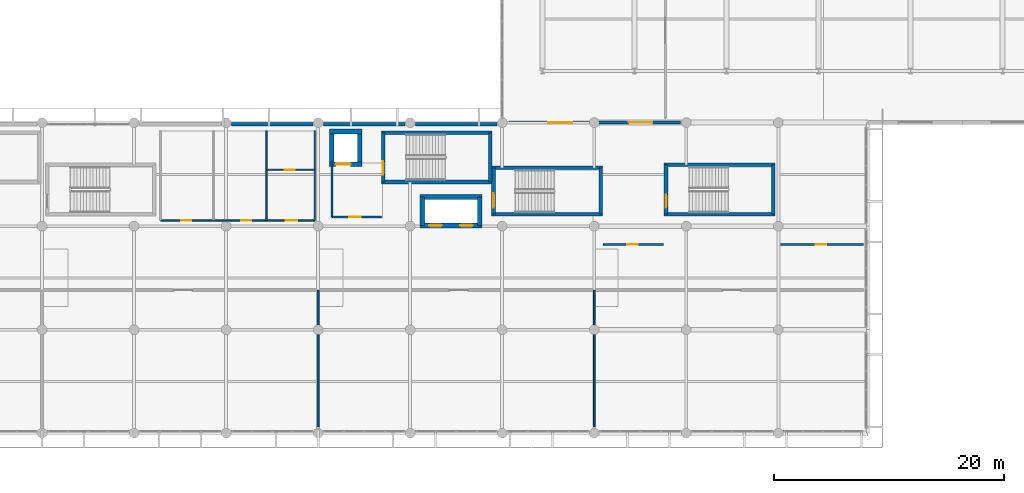
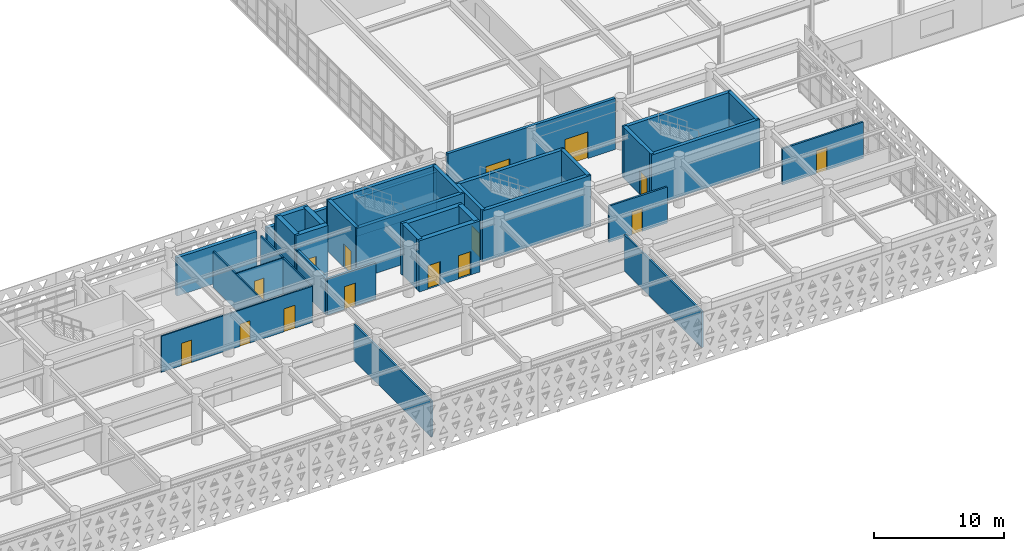
# One storey, part 38 of 54: 34 walls, 15 doors, 15 openings.
"""IFC4 building model written with IfcOpenShell, lengths in metres."""

from ifc_helpers import new_model, si_unit, direction, frame, frame_2d, origin, place, context, subcontext, project, spatial, rectangle, extrude, material, layer, layer_set, type_object, element, fill, save


model = new_model("IFC4")

# Units and contexts
model_context = context("Model", 3, precision=1e-05, world=origin(), true_north=direction((0.0, 1.0)))
body_context = subcontext(model_context, "Body", "Model", "MODEL_VIEW")
ifc_project = project(units=[si_unit("LENGTHUNIT", "METRE"), si_unit("AREAUNIT", "SQUARE_METRE"), si_unit("VOLUMEUNIT", "CUBIC_METRE"), si_unit("PLANEANGLEUNIT", "RADIAN"), si_unit("MASSUNIT", "GRAM", prefix="KILO")], contexts=[model_context])

# Site, building, storey
site_placement = place(None, origin())
site = spatial("IfcSite", under=ifc_project, at=site_placement, CompositionType="ELEMENT")
building_placement = place(site_placement, origin())
building = spatial("IfcBuilding", under=site, at=building_placement, Name="Tlacozan Convention Centre", CompositionType="ELEMENT")
storey_placement = place(building_placement, frame((0.0, 0.0, 11.39990234375)))
storey = spatial("IfcBuildingStorey", under=building, at=storey_placement, Name="L02", CompositionType="ELEMENT", Elevation=11.39990234375)

# Wall, openings, doors
ifc_material_1 = material(Name="Concrete C40/50", Category="concrete")
ifc_layer_1 = layer(ifc_material_1, 0.260009765625)
ifc_layer_set_1 = layer_set([ifc_layer_1], Name="Concrete C40/50")
wall_type_1 = type_object("IfcWallType", Name="Compartment Rated Wall RC 260", PredefinedType="SOLIDWALL", material=ifc_layer_set_1)
wall_1_placement = place(storey_placement, frame((88.60009765625, 27.0, 0.0), z_axis=(0.0, 0.0, 1.0), x_axis=(1.0, 0.0, 0.0)))
wall_1 = element("IfcWall", 1, at=wall_1_placement, inside=storey, type_object=wall_type_1, Name="L02 Compartment Rated Wall RC 260 622", PredefinedType="SOLIDWALL", context=body_context, shape_type="SweptSolid", body=[
    extrude(rectangle(XDim=14.89990234375, YDim=0.260009765625, at=frame_2d((7.449951171875, 0.0))), origin(), (0.0, 0.0, 1.0), 4.800048828125),
])
opening_1_placement = place(wall_1_placement, frame((3.39990234375, 0.0, 0.0)))
opening_1 = element("IfcOpeningElement", 2, at=opening_1_placement, cuts=wall_1, Name="Opening FD-04", PredefinedType="OPENING", context=body_context, shape_type="SweptSolid", body=[
    extrude(rectangle(XDim=2.10009765625, YDim=2.39990234375, at=frame_2d((1.050048828125, 1.199951171875))), frame((0.0, 0.139892578125, 0.0), z_axis=(0.0, -1.0, 0.0), x_axis=(1.0, 0.0, 0.0)), (0.0, 0.0, 1.0), 0.280029296875),
])
opening_2_placement = place(wall_1_placement, frame((10.39990234375, 0.0, 0.0)))
opening_2 = element("IfcOpeningElement", 3, at=opening_2_placement, cuts=wall_1, Name="Opening ID-18", PredefinedType="OPENING", context=body_context, shape_type="SweptSolid", body=[
    extrude(rectangle(XDim=2.050048828125, YDim=2.5, at=frame_2d((1.02490234375, 1.25))), frame((0.0, 0.139892578125, 0.0), z_axis=(0.0, -1.0, 0.0), x_axis=(1.0, 0.0, 0.0)), (0.0, 0.0, 1.0), 0.280029296875),
])
ifc_material_2 = material(Name="Acoustic Solid-Core Oak Veneer Door")
door_type_1 = type_object("IfcDoorType", Name="Dining Pavilion Double Door 2050x2500", OperationType="DOUBLE_DOOR_SINGLE_SWING", PredefinedType="DOOR", material=ifc_material_2)
door_1_placement = place(opening_2_placement, origin())
door_1 = element("IfcDoor", 4, at=door_1_placement, inside=storey, type_object=door_type_1, Name="L02 Dining Pavilion Double Door 2050x2500 221", OperationType="DOUBLE_DOOR_SINGLE_SWING", OverallHeight=2.5, OverallWidth=2.050048828125, PredefinedType="DOOR", context=body_context, shape_type="SweptSolid", body=[
    extrude(rectangle(XDim=2.050048828125, YDim=2.5, at=frame_2d((1.02490234375, 1.25))), frame((0.0, 0.02490234375, 0.0), z_axis=(0.0, -1.0, 0.0), x_axis=(1.0, 0.0, 0.0)), (0.0, 0.0, 1.0), 0.050048828125),
])
fill(opening_2, door_1)
ifc_material_3 = material(Name="Fire-Rated Insulated Steel Door Leaf", Category="steel")
door_type_2 = type_object("IfcDoorType", Name="Fire Door Compartment Double 2100x2400 FD90", OperationType="DOUBLE_DOOR_SINGLE_SWING", PredefinedType="DOOR", material=ifc_material_3)
door_2_placement = place(opening_1_placement, origin())
door_2 = element("IfcDoor", 5, at=door_2_placement, inside=storey, type_object=door_type_2, Name="L02 Fire Door Compartment Double 2100x2400 FD90 220", OperationType="DOUBLE_DOOR_SINGLE_SWING", OverallHeight=2.39990234375, OverallWidth=2.10009765625, PredefinedType="DOOR", context=body_context, shape_type="SweptSolid", body=[
    extrude(rectangle(XDim=2.10009765625, YDim=2.39990234375, at=frame_2d((1.050048828125, 1.199951171875))), frame((0.0, 0.02490234375, 0.0), z_axis=(0.0, -1.0, 0.0), x_axis=(1.0, 0.0, 0.0)), (0.0, 0.0, 1.0), 0.050048828125),
])
fill(opening_1, door_2)

# Walls
ifc_material_4 = material(Name="Volcanic Cantera Stone Masonry", Category="masonry")
ifc_layer_2 = layer(ifc_material_4, 0.300048828125)
ifc_layer_set_2 = layer_set([ifc_layer_2], Name="Volcanic Cantera Stone Masonry")
wall_type_2 = type_object("IfcWallType", Name="Congress Spandrel Backup Wall 300", PredefinedType="SOLIDWALL", material=ifc_layer_set_2)
for number, where, z_axis, x_axis, name in (
    (6, (64.449951171875, 26.840087890625, 0.0), (0.0, 0.0, 1.0), (1.0, 0.0, 0.0), "L02 Congress Spandrel Backup Wall 300 121"),
    (7, (72.449951171875, 26.840087890625, 0.0), (0.0, 0.0, 1.0), (1.0, 0.0, 0.0), "L02 Congress Spandrel Backup Wall 300 122"),
    (8, (80.449951171875, 26.840087890625, 0.0), (0.0, 0.0, 1.0), (1.0, 0.0, 0.0), "L02 Congress Spandrel Backup Wall 300 123"),
):
    element("IfcWall", number, at=place(storey_placement, frame(where, z_axis=z_axis, x_axis=x_axis)), inside=storey, type_object=wall_type_2, Name=name, PredefinedType="SOLIDWALL", context=body_context, shape_type="SweptSolid", body=[
        extrude(rectangle(XDim=7.10009765625, YDim=0.300048828125, at=frame_2d((3.550048828125, 0.0))), origin(), (0.0, 0.0, 1.0), 3.590087890625),
    ])

# Wall, opening, door
ifc_layer_3 = layer(ifc_material_1, 0.409912109375)
ifc_layer_set_3 = layer_set([ifc_layer_3], Name="Concrete C40/50")
wall_type_3 = type_object("IfcWallType", Name="Core Shear Wall RC 410", PredefinedType="SHEAR", material=ifc_layer_set_3)
wall_2_placement = place(storey_placement, frame((72.97509765625, 23.3798828125, 0.0), z_axis=(0.0, 0.0, 1.0), x_axis=(1.0, 0.0, 0.0)))
wall_2 = element("IfcWall", 9, at=wall_2_placement, inside=storey, type_object=wall_type_3, Name="L02 Core Shear Wall RC 410 133", PredefinedType="SHEAR", context=body_context, shape_type="SweptSolid", body=[
    extrude(rectangle(XDim=2.849853515625, YDim=0.409912109375, at=frame_2d((1.4248046875, 0.0))), origin(), (0.0, 0.0, 1.0), 4.800048828125),
])
opening_3_placement = place(wall_2_placement, frame((0.550048828125, 0.0, 0.0)))
opening_3 = element("IfcOpeningElement", 10, at=opening_3_placement, cuts=wall_2, Name="Opening LD-02", PredefinedType="OPENING", context=body_context, shape_type="SweptSolid", body=[
    extrude(rectangle(XDim=1.300048828125, YDim=2.25, at=frame_2d((0.64990234375, 1.125))), frame((0.0, 0.21484375, 0.0), z_axis=(0.0, -1.0, 0.0), x_axis=(1.0, 0.0, 0.0)), (0.0, 0.0, 1.0), 0.429931640625),
])
ifc_material_5 = material(Name="Brushed Stainless Steel Sliding Landing Door", Category="steel")
door_type_3 = type_object("IfcDoorType", Name="Firefighting Lift Sliding Door 1300x2250", OperationType="DOUBLE_DOOR_SLIDING", PredefinedType="DOOR", material=ifc_material_5)
door_3_placement = place(opening_3_placement, origin())
door_3 = element("IfcDoor", 11, at=door_3_placement, inside=storey, type_object=door_type_3, Name="L02 Firefighting Lift FL-02 Landing Door", OperationType="DOUBLE_DOOR_SLIDING", OverallHeight=2.25, OverallWidth=1.300048828125, PredefinedType="DOOR", context=body_context, shape_type="SweptSolid", body=[
    extrude(rectangle(XDim=1.300048828125, YDim=2.25, at=frame_2d((0.64990234375, 1.125))), frame((0.0, 0.02490234375, 0.0), z_axis=(0.0, -1.0, 0.0), x_axis=(1.0, 0.0, 0.0)), (0.0, 0.0, 1.0), 0.050048828125),
])
fill(opening_3, door_3)

# Walls
wall_3_placement = place(storey_placement, frame((72.97509765625, 26.219970703125, 0.0), z_axis=(0.0, 0.0, 1.0), x_axis=(1.0, 0.0, 0.0)))
element("IfcWall", 12, at=wall_3_placement, inside=storey, type_object=wall_type_3, Name="L02 Core Shear Wall RC 410 134", PredefinedType="SHEAR", context=body_context, shape_type="SweptSolid", body=[
    extrude(rectangle(XDim=2.849853515625, YDim=0.409912109375, at=frame_2d((1.4248046875, 0.0))), origin(), (0.0, 0.0, 1.0), 4.800048828125),
])
for number, where, z_axis, x_axis, name in (
    (13, (73.179931640625, 23.3798828125, 0.0), (0.0, 0.0, 1.0), (0.0, 1.0, 0.0), "L02 Core Shear Wall RC 410 135"),
    (14, (75.6201171875, 23.3798828125, 0.0), (0.0, 0.0, 1.0), (0.0, 1.0, 0.0), "L02 Core Shear Wall RC 410 136"),
):
    element("IfcWall", number, at=place(storey_placement, frame(where, z_axis=z_axis, x_axis=x_axis)), inside=storey, type_object=wall_type_3, Name=name, PredefinedType="SHEAR", context=body_context, shape_type="SweptSolid", body=[
        extrude(rectangle(XDim=2.840087890625, YDim=0.409912109375, at=frame_2d((1.419921875, 0.0))), origin(), (0.0, 0.0, 1.0), 4.800048828125),
    ])

# Wall, openings, doors
wall_4_placement = place(storey_placement, frame((80.85498046875, 18.06005859375, 0.0), z_axis=(0.0, 0.0, 1.0), x_axis=(1.0, 0.0, 0.0)))
wall_4 = element("IfcWall", 15, at=wall_4_placement, inside=storey, type_object=wall_type_3, Name="L02 Core Shear Wall RC 410 137", PredefinedType="SHEAR", context=body_context, shape_type="SweptSolid", body=[
    extrude(rectangle(XDim=5.39013671875, YDim=0.409912109375, at=frame_2d((2.695068359375, 0.0))), origin(), (0.0, 0.0, 1.0), 4.800048828125),
])
opening_4_placement = place(wall_4_placement, frame((0.794921875, 0.0, 0.0)))
opening_4 = element("IfcOpeningElement", 16, at=opening_4_placement, cuts=wall_4, Name="Opening LD-01", PredefinedType="OPENING", context=body_context, shape_type="SweptSolid", body=[
    extrude(rectangle(XDim=1.10009765625, YDim=2.199951171875, at=frame_2d((0.550048828125, 1.10009765625))), frame((0.0, 0.21484375, 0.0), z_axis=(0.0, -1.0, 0.0), x_axis=(1.0, 0.0, 0.0)), (0.0, 0.0, 1.0), 0.429931640625),
])
opening_5_placement = place(wall_4_placement, frame((3.4951171875, 0.0, 0.0)))
opening_5 = element("IfcOpeningElement", 17, at=opening_5_placement, cuts=wall_4, Name="Opening LD-01", PredefinedType="OPENING", context=body_context, shape_type="SweptSolid", body=[
    extrude(rectangle(XDim=1.10009765625, YDim=2.199951171875, at=frame_2d((0.550048828125, 1.10009765625))), frame((0.0, 0.21484375, 0.0), z_axis=(0.0, -1.0, 0.0), x_axis=(1.0, 0.0, 0.0)), (0.0, 0.0, 1.0), 0.429931640625),
])
door_type_4 = type_object("IfcDoorType", Name="Lift Sliding Landing Door 1100x2200", OperationType="DOUBLE_DOOR_SLIDING", PredefinedType="DOOR", material=ifc_material_5)
door_4_placement = place(opening_4_placement, origin())
door_4 = element("IfcDoor", 18, at=door_4_placement, inside=storey, type_object=door_type_4, Name="L02 Lift PL-03 Landing Door", OperationType="DOUBLE_DOOR_SLIDING", OverallHeight=2.199951171875, OverallWidth=1.10009765625, PredefinedType="DOOR", context=body_context, shape_type="SweptSolid", body=[
    extrude(rectangle(XDim=1.10009765625, YDim=2.199951171875, at=frame_2d((0.550048828125, 1.10009765625))), frame((0.0, 0.02490234375, 0.0), z_axis=(0.0, -1.0, 0.0), x_axis=(1.0, 0.0, 0.0)), (0.0, 0.0, 1.0), 0.050048828125),
])
fill(opening_4, door_4)
door_5_placement = place(opening_5_placement, origin())
door_5 = element("IfcDoor", 19, at=door_5_placement, inside=storey, type_object=door_type_4, Name="L02 Lift PL-04 Landing Door", OperationType="DOUBLE_DOOR_SLIDING", OverallHeight=2.199951171875, OverallWidth=1.10009765625, PredefinedType="DOOR", context=body_context, shape_type="SweptSolid", body=[
    extrude(rectangle(XDim=1.10009765625, YDim=2.199951171875, at=frame_2d((0.550048828125, 1.10009765625))), frame((0.0, 0.02490234375, 0.0), z_axis=(0.0, -1.0, 0.0), x_axis=(1.0, 0.0, 0.0)), (0.0, 0.0, 1.0), 0.050048828125),
])
fill(opening_5, door_5)

# Walls
wall_5_placement = place(storey_placement, frame((80.85498046875, 20.5400390625, 0.0), z_axis=(0.0, 0.0, 1.0), x_axis=(1.0, 0.0, 0.0)))
element("IfcWall", 20, at=wall_5_placement, inside=storey, type_object=wall_type_3, Name="L02 Core Shear Wall RC 410 138", PredefinedType="SHEAR", context=body_context, shape_type="SweptSolid", body=[
    extrude(rectangle(XDim=5.39013671875, YDim=0.409912109375, at=frame_2d((2.695068359375, 0.0))), origin(), (0.0, 0.0, 1.0), 4.800048828125),
])
for number, where, z_axis, x_axis, name in (
    (21, (81.06005859375, 18.06005859375, 0.0), (0.0, 0.0, 1.0), (0.0, 1.0, 0.0), "L02 Core Shear Wall RC 410 139"),
    (22, (86.0400390625, 18.06005859375, 0.0), (0.0, 0.0, 1.0), (0.0, 1.0, 0.0), "L02 Core Shear Wall RC 410 140"),
):
    element("IfcWall", number, at=place(storey_placement, frame(where, z_axis=z_axis, x_axis=x_axis)), inside=storey, type_object=wall_type_3, Name=name, PredefinedType="SHEAR", context=body_context, shape_type="SweptSolid", body=[
        extrude(rectangle(XDim=2.47998046875, YDim=0.409912109375, at=frame_2d((1.239990234375, 0.0))), origin(), (0.0, 0.0, 1.0), 4.800048828125),
    ])

# Wall, opening, door
ifc_material_6 = material(Name="Fire-Rated Gypsum Stud Partition Assembly")
ifc_layer_4 = layer(ifc_material_6, 0.2099609375)
ifc_layer_set_4 = layer_set([ifc_layer_4], Name="Fire-Rated Gypsum Stud Partition Assembly")
wall_type_4 = type_object("IfcWallType", Name="Firefighting Lobby Rated Wall 210", PredefinedType="PARTITIONING", material=ifc_layer_set_4)
wall_6_placement = place(storey_placement, frame((73.199951171875, 18.800048828125, 0.0), z_axis=(0.0, 0.0, 1.0), x_axis=(1.0, 0.0, 0.0)))
wall_6 = element("IfcWall", 23, at=wall_6_placement, inside=storey, type_object=wall_type_4, Name="L02 Firefighting Lobby Rated Wall 210 131", PredefinedType="PARTITIONING", context=body_context, shape_type="SweptSolid", body=[
    extrude(rectangle(XDim=4.300048828125, YDim=0.2099609375, at=frame_2d((2.14990234375, 0.0))), origin(), (0.0, 0.0, 1.0), 3.400146484375),
])
opening_6_placement = place(wall_6_placement, frame((1.5, 0.0, 0.0)))
opening_6 = element("IfcOpeningElement", 24, at=opening_6_placement, cuts=wall_6, Name="Opening FD-01", PredefinedType="OPENING", context=body_context, shape_type="SweptSolid", body=[
    extrude(rectangle(XDim=1.0, YDim=2.14990234375, at=frame_2d((0.5, 1.074951171875))), frame((0.0, 0.114990234375, 0.0), z_axis=(0.0, -1.0, 0.0), x_axis=(1.0, 0.0, 0.0)), (0.0, 0.0, 1.0), 0.22998046875),
])
door_type_5 = type_object("IfcDoorType", Name="Fire Door Single 1000x2150 FD90", OperationType="NOTDEFINED", PredefinedType="DOOR", material=ifc_material_3)
door_6_placement = place(opening_6_placement, origin())
door_6 = element("IfcDoor", 25, at=door_6_placement, inside=storey, type_object=door_type_5, Name="L02 CORE-2 Firefighting Lobby Entry Door", OperationType="SINGLE_SWING_RIGHT", OverallHeight=2.14990234375, OverallWidth=1.0, PredefinedType="DOOR", context=body_context, shape_type="SweptSolid", body=[
    extrude(rectangle(XDim=1.0, YDim=2.14990234375, at=frame_2d((0.5, 1.074951171875))), frame((0.0, 0.02490234375, 0.0), z_axis=(0.0, -1.0, 0.0), x_axis=(1.0, 0.0, 0.0)), (0.0, 0.0, 1.0), 0.050048828125),
])
fill(opening_6, door_6)

# Walls
wall_7_placement = place(storey_placement, frame((73.199951171875, 18.800048828125, 0.0), z_axis=(0.0, 0.0, 1.0), x_axis=(0.0, 1.0, 0.0)))
element("IfcWall", 26, at=wall_7_placement, inside=storey, type_object=wall_type_4, Name="L02 Firefighting Lobby Rated Wall 210 132", PredefinedType="PARTITIONING", context=body_context, shape_type="SweptSolid", body=[
    extrude(rectangle(XDim=4.599853515625, YDim=0.2099609375, at=frame_2d((2.2998046875, 0.0))), origin(), (0.0, 0.0, 1.0), 3.400146484375),
])
ifc_material_7 = material(Name="Acoustic Double-Stud Partition Assembly")
ifc_layer_5 = layer(ifc_material_7, 0.159912109375)
ifc_layer_set_5 = layer_set([ifc_layer_5], Name="Acoustic Double-Stud Partition Assembly")
wall_type_5 = type_object("IfcWallType", Name="Meeting Acoustic Partition 160", PredefinedType="PARTITIONING", material=ifc_layer_set_5)
for number, where, z_axis, x_axis, name in (
    (27, (72.0, 0.550048828125, 0.0), (0.0, 0.0, 1.0), (0.0, 1.0, 0.0), "L02 Meeting Acoustic Partition 160 596"),
    (28, (96.0, 0.550048828125, 0.0), (0.0, 0.0, 1.0), (0.0, 1.0, 0.0), "L02 Meeting Acoustic Partition 160 597"),
):
    element("IfcWall", number, at=place(storey_placement, frame(where, z_axis=z_axis, x_axis=x_axis)), inside=storey, type_object=wall_type_5, Name=name, PredefinedType="PARTITIONING", context=body_context, shape_type="SweptSolid", body=[
        extrude(rectangle(XDim=11.89990234375, YDim=0.159912109375, at=frame_2d((5.949951171875, 0.0))), origin(), (0.0, 0.0, 1.0), 3.400146484375),
    ])

# Wall, opening, door
wall_8_placement = place(storey_placement, frame((96.800048828125, 16.39990234375, 0.0), z_axis=(0.0, 0.0, 1.0), x_axis=(1.0, 0.0, 0.0)))
wall_8 = element("IfcWall", 29, at=wall_8_placement, inside=storey, type_object=wall_type_5, Name="L02 Meeting Acoustic Partition 160 599", PredefinedType="PARTITIONING", context=body_context, shape_type="SweptSolid", body=[
    extrude(rectangle(XDim=5.199951171875, YDim=0.159912109375, at=frame_2d((2.60009765625, 0.0))), origin(), (0.0, 0.0, 1.0), 3.400146484375),
])
opening_7_placement = place(wall_8_placement, frame((2.050048828125, 0.0, 0.0)))
opening_7 = element("IfcOpeningElement", 30, at=opening_7_placement, cuts=wall_8, Name="Opening ID-14", PredefinedType="OPENING", context=body_context, shape_type="SweptSolid", body=[
    extrude(rectangle(XDim=0.919921875, YDim=2.14990234375, at=frame_2d((0.4599609375, 1.074951171875))), frame((0.0, 0.08984375, 0.0), z_axis=(0.0, -1.0, 0.0), x_axis=(1.0, 0.0, 0.0)), (0.0, 0.0, 1.0), 0.179931640625),
])
door_type_6 = type_object("IfcDoorType", Name="Interpretation Booth Door 920x2150", OperationType="NOTDEFINED", PredefinedType="DOOR", material=ifc_material_2)
door_7_placement = place(opening_7_placement, origin())
door_7 = element("IfcDoor", 31, at=door_7_placement, inside=storey, type_object=door_type_6, Name="L02 Interpretation Booth Door 920x2150 193", OperationType="SINGLE_SWING_RIGHT", OverallHeight=2.14990234375, OverallWidth=0.919921875, PredefinedType="DOOR", context=body_context, shape_type="SweptSolid", body=[
    extrude(rectangle(XDim=0.919921875, YDim=2.14990234375, at=frame_2d((0.4599609375, 1.074951171875))), frame((0.0, 0.02490234375, 0.0), z_axis=(0.0, -1.0, 0.0), x_axis=(1.0, 0.0, 0.0)), (0.0, 0.0, 1.0), 0.050048828125),
])
fill(opening_7, door_7)

wall_9_placement = place(storey_placement, frame((112.199951171875, 16.39990234375, 0.0), z_axis=(0.0, 0.0, 1.0), x_axis=(1.0, 0.0, 0.0)))
wall_9 = element("IfcWall", 32, at=wall_9_placement, inside=storey, type_object=wall_type_5, Name="L02 Meeting Acoustic Partition 160 600", PredefinedType="PARTITIONING", context=body_context, shape_type="SweptSolid", body=[
    extrude(rectangle(XDim=7.199951171875, YDim=0.159912109375, at=frame_2d((3.60009765625, 0.0))), origin(), (0.0, 0.0, 1.0), 3.400146484375),
])
opening_8_placement = place(wall_9_placement, frame((3.050048828125, 0.0, 0.0)))
opening_8 = element("IfcOpeningElement", 33, at=opening_8_placement, cuts=wall_9, Name="Opening ID-03", PredefinedType="OPENING", context=body_context, shape_type="SweptSolid", body=[
    extrude(rectangle(XDim=0.89990234375, YDim=2.14990234375, at=frame_2d((0.449951171875, 1.074951171875))), frame((0.0, 0.08984375, 0.0), z_axis=(0.0, -1.0, 0.0), x_axis=(1.0, 0.0, 0.0)), (0.0, 0.0, 1.0), 0.179931640625),
])
door_type_7 = type_object("IfcDoorType", Name="Office Single Door 900x2150", OperationType="NOTDEFINED", PredefinedType="DOOR", material=ifc_material_2)
door_8_placement = place(opening_8_placement, origin())
door_8 = element("IfcDoor", 34, at=door_8_placement, inside=storey, type_object=door_type_7, Name="L02 Office Single Door 900x2150 194", OperationType="SINGLE_SWING_LEFT", OverallHeight=2.14990234375, OverallWidth=0.89990234375, PredefinedType="DOOR", context=body_context, shape_type="SweptSolid", body=[
    extrude(rectangle(XDim=0.89990234375, YDim=2.14990234375, at=frame_2d((0.449951171875, 1.074951171875))), frame((0.0, 0.02490234375, 0.0), z_axis=(0.0, -1.0, 0.0), x_axis=(1.0, 0.0, 0.0)), (0.0, 0.0, 1.0), 0.050048828125),
])
fill(opening_8, door_8)

# Wall, openings, doors
ifc_layer_6 = layer(ifc_material_7, 0.1201171875)
ifc_layer_set_6 = layer_set([ifc_layer_6], Name="Acoustic Double-Stud Partition Assembly")
wall_type_6 = type_object("IfcWallType", Name="Sanitary Tile Partition 120", PredefinedType="PARTITIONING", material=ifc_layer_set_6)
wall_10_placement = place(storey_placement, frame((58.300048828125, 18.5, 0.0), z_axis=(0.0, 0.0, 1.0), x_axis=(1.0, 0.0, 0.0)))
wall_10 = element("IfcWall", 35, at=wall_10_placement, inside=storey, type_object=wall_type_6, Name="L02 Sanitary Tile Partition 120 543", PredefinedType="PARTITIONING", context=body_context, shape_type="SweptSolid", body=[
    extrude(rectangle(XDim=13.39990234375, YDim=0.1201171875, at=frame_2d((6.699951171875, 0.0))), origin(), (0.0, 0.0, 1.0), 3.400146484375),
])
opening_9_placement = place(wall_10_placement, frame((1.800048828125, 0.0, 0.0)))
opening_9 = element("IfcOpeningElement", 36, at=opening_9_placement, cuts=wall_10, Name="Opening ID-05", PredefinedType="OPENING", context=body_context, shape_type="SweptSolid", body=[
    extrude(rectangle(XDim=0.8798828125, YDim=2.10009765625, at=frame_2d((0.43994140625, 1.050048828125))), frame((0.0, 0.070068359375, 0.0), z_axis=(0.0, -1.0, 0.0), x_axis=(1.0, 0.0, 0.0)), (0.0, 0.0, 1.0), 0.14013671875),
])
opening_10_placement = place(wall_10_placement, frame((7.0, 0.0, 0.0)))
opening_10 = element("IfcOpeningElement", 37, at=opening_10_placement, cuts=wall_10, Name="Opening ID-05", PredefinedType="OPENING", context=body_context, shape_type="SweptSolid", body=[
    extrude(rectangle(XDim=0.8798828125, YDim=2.10009765625, at=frame_2d((0.43994140625, 1.050048828125))), frame((0.0, 0.070068359375, 0.0), z_axis=(0.0, -1.0, 0.0), x_axis=(1.0, 0.0, 0.0)), (0.0, 0.0, 1.0), 0.14013671875),
])
opening_11_placement = place(wall_10_placement, frame((10.89990234375, 0.0, 0.0)))
opening_11 = element("IfcOpeningElement", 38, at=opening_11_placement, cuts=wall_10, Name="Opening ID-04", PredefinedType="OPENING", context=body_context, shape_type="SweptSolid", body=[
    extrude(rectangle(XDim=0.97998046875, YDim=2.14990234375, at=frame_2d((0.489990234375, 1.074951171875))), frame((0.0, 0.070068359375, 0.0), z_axis=(0.0, -1.0, 0.0), x_axis=(1.0, 0.0, 0.0)), (0.0, 0.0, 1.0), 0.14013671875),
])
door_type_8 = type_object("IfcDoorType", Name="Accessible Restroom Door 980x2150", OperationType="NOTDEFINED", PredefinedType="DOOR", material=ifc_material_2)
door_9_placement = place(opening_11_placement, origin())
door_9 = element("IfcDoor", 39, at=door_9_placement, inside=storey, type_object=door_type_8, Name="L02 Accessible Restroom Door", OperationType="SINGLE_SWING_LEFT", OverallHeight=2.14990234375, OverallWidth=0.97998046875, PredefinedType="DOOR", context=body_context, shape_type="SweptSolid", body=[
    extrude(rectangle(XDim=0.97998046875, YDim=2.14990234375, at=frame_2d((0.489990234375, 1.074951171875))), frame((0.0, 0.02490234375, 0.0), z_axis=(0.0, -1.0, 0.0), x_axis=(1.0, 0.0, 0.0)), (0.0, 0.0, 1.0), 0.050048828125),
])
fill(opening_11, door_9)
door_type_9 = type_object("IfcDoorType", Name="Restroom Single Door 880x2100", OperationType="NOTDEFINED", PredefinedType="DOOR", material=ifc_material_2)
door_10_placement = place(opening_9_placement, origin())
door_10 = element("IfcDoor", 40, at=door_10_placement, inside=storey, type_object=door_type_9, Name="L02 Male Restroom Door", OperationType="SINGLE_SWING_LEFT", OverallHeight=2.10009765625, OverallWidth=0.8798828125, PredefinedType="DOOR", context=body_context, shape_type="SweptSolid", body=[
    extrude(rectangle(XDim=0.8798828125, YDim=2.10009765625, at=frame_2d((0.43994140625, 1.050048828125))), frame((0.0, 0.02490234375, 0.0), z_axis=(0.0, -1.0, 0.0), x_axis=(1.0, 0.0, 0.0)), (0.0, 0.0, 1.0), 0.050048828125),
])
fill(opening_9, door_10)
door_11_placement = place(opening_10_placement, origin())
door_11 = element("IfcDoor", 41, at=door_11_placement, inside=storey, type_object=door_type_9, Name="L02 Female Restroom Door", OperationType="SINGLE_SWING_RIGHT", OverallHeight=2.10009765625, OverallWidth=0.8798828125, PredefinedType="DOOR", context=body_context, shape_type="SweptSolid", body=[
    extrude(rectangle(XDim=0.8798828125, YDim=2.10009765625, at=frame_2d((0.43994140625, 1.050048828125))), frame((0.0, 0.02490234375, 0.0), z_axis=(0.0, -1.0, 0.0), x_axis=(1.0, 0.0, 0.0)), (0.0, 0.0, 1.0), 0.050048828125),
])
fill(opening_10, door_11)

# Walls
for number, where, z_axis, x_axis, name in (
    (42, (67.5, 18.5, 0.0), (0.0, 0.0, 1.0), (0.0, 1.0, 0.0), "L02 Sanitary Tile Partition 120 546"),
    (43, (71.699951171875, 18.5, 0.0), (0.0, 0.0, 1.0), (0.0, 1.0, 0.0), "L02 Sanitary Tile Partition 120 547"),
):
    element("IfcWall", number, at=place(storey_placement, frame(where, z_axis=z_axis, x_axis=x_axis)), inside=storey, type_object=wall_type_6, Name=name, PredefinedType="PARTITIONING", context=body_context, shape_type="SweptSolid", body=[
        extrude(rectangle(XDim=7.800048828125, YDim=0.1201171875, at=frame_2d((3.89990234375, 0.0))), origin(), (0.0, 0.0, 1.0), 3.400146484375),
    ])

# Wall, opening, door
ifc_layer_7 = layer(ifc_material_6, 0.10009765625)
ifc_layer_set_7 = layer_set([ifc_layer_7], Name="Fire-Rated Gypsum Stud Partition Assembly")
wall_type_7 = type_object("IfcWallType", Name="Service Duct Partition 100", PredefinedType="PARTITIONING", material=ifc_layer_set_7)
wall_11_placement = place(storey_placement, frame((67.5, 22.89990234375, 0.0), z_axis=(0.0, 0.0, 1.0), x_axis=(1.0, 0.0, 0.0)))
wall_11 = element("IfcWall", 44, at=wall_11_placement, inside=storey, type_object=wall_type_7, Name="L02 Service Duct Partition 100 548", PredefinedType="PARTITIONING", context=body_context, shape_type="SweptSolid", body=[
    extrude(rectangle(XDim=4.199951171875, YDim=0.10009765625, at=frame_2d((2.10009765625, 0.0))), origin(), (0.0, 0.0, 1.0), 3.400146484375),
])
opening_12_placement = place(wall_11_placement, frame((1.60009765625, 0.0, 0.0)))
opening_12 = element("IfcOpeningElement", 45, at=opening_12_placement, cuts=wall_11, Name="Opening ID-06", PredefinedType="OPENING", context=body_context, shape_type="SweptSolid", body=[
    extrude(rectangle(XDim=0.85009765625, YDim=2.10009765625, at=frame_2d((0.425048828125, 1.050048828125))), frame((0.0, 0.06005859375, 0.0), z_axis=(0.0, -1.0, 0.0), x_axis=(1.0, 0.0, 0.0)), (0.0, 0.0, 1.0), 0.1201171875),
])
door_type_10 = type_object("IfcDoorType", Name="Service Closet Door 850x2100", OperationType="NOTDEFINED", PredefinedType="DOOR", material=ifc_material_2)
door_12_placement = place(opening_12_placement, origin())
door_12 = element("IfcDoor", 46, at=door_12_placement, inside=storey, type_object=door_type_10, Name="L02 Housekeeping Closet Door", OperationType="SINGLE_SWING_RIGHT", OverallHeight=2.10009765625, OverallWidth=0.85009765625, PredefinedType="DOOR", context=body_context, shape_type="SweptSolid", body=[
    extrude(rectangle(XDim=0.85009765625, YDim=2.10009765625, at=frame_2d((0.425048828125, 1.050048828125))), frame((0.0, 0.02490234375, 0.0), z_axis=(0.0, -1.0, 0.0), x_axis=(1.0, 0.0, 0.0)), (0.0, 0.0, 1.0), 0.050048828125),
])
fill(opening_12, door_12)

# Walls
ifc_layer_8 = layer(ifc_material_1, 0.31005859375)
ifc_layer_set_8 = layer_set([ifc_layer_8], Name="Concrete C40/50")
wall_type_8 = type_object("IfcWallType", Name="Stair Shaft Shear Wall RC 310", PredefinedType="SHEAR", material=ifc_layer_set_8)
for number, where, z_axis, x_axis, name in (
    (47, (77.485107421875, 21.840087890625, 0.0), (0.0, 0.0, 1.0), (1.0, 0.0, 0.0), "L02 Stair Shaft Shear Wall RC 310 127"),
    (48, (77.485107421875, 26.1201171875, 0.0), (0.0, 0.0, 1.0), (1.0, 0.0, 0.0), "L02 Stair Shaft Shear Wall RC 310 128"),
):
    element("IfcWall", number, at=place(storey_placement, frame(where, z_axis=z_axis, x_axis=x_axis)), inside=storey, type_object=wall_type_8, Name=name, PredefinedType="SHEAR", context=body_context, shape_type="SweptSolid", body=[
        extrude(rectangle(XDim=9.6298828125, YDim=0.31005859375, at=frame_2d((4.81494140625, 0.0))), origin(), (0.0, 0.0, 1.0), 4.800048828125),
    ])

# Wall, opening, door
wall_12_placement = place(storey_placement, frame((77.639892578125, 21.840087890625, 0.0), z_axis=(0.0, 0.0, 1.0), x_axis=(0.0, 1.0, 0.0)))
wall_12 = element("IfcWall", 49, at=wall_12_placement, inside=storey, type_object=wall_type_8, Name="L02 Stair Shaft Shear Wall RC 310 129", PredefinedType="SHEAR", context=body_context, shape_type="SweptSolid", body=[
    extrude(rectangle(XDim=4.280029296875, YDim=0.31005859375, at=frame_2d((2.14013671875, 0.0))), origin(), (0.0, 0.0, 1.0), 4.800048828125),
])
opening_13_placement = place(wall_12_placement, frame((0.64990234375, 0.0, 0.0)))
opening_13 = element("IfcOpeningElement", 50, at=opening_13_placement, cuts=wall_12, Name="Opening FD-02", PredefinedType="OPENING", context=body_context, shape_type="SweptSolid", body=[
    extrude(rectangle(XDim=1.14990234375, YDim=2.199951171875, at=frame_2d((0.574951171875, 1.10009765625))), frame((0.0, 0.1650390625, 0.0), z_axis=(0.0, -1.0, 0.0), x_axis=(1.0, 0.0, 0.0)), (0.0, 0.0, 1.0), 0.330078125),
])
door_type_11 = type_object("IfcDoorType", Name="Fire Door Stair 1150x2200 FD90", OperationType="NOTDEFINED", PredefinedType="DOOR", material=ifc_material_3)
door_13_placement = place(opening_13_placement, origin())
door_13 = element("IfcDoor", 51, at=door_13_placement, inside=storey, type_object=door_type_11, Name="L02 Stair ST-02 Fire Door", OperationType="SINGLE_SWING_LEFT", OverallHeight=2.199951171875, OverallWidth=1.14990234375, PredefinedType="DOOR", context=body_context, shape_type="SweptSolid", body=[
    extrude(rectangle(XDim=1.14990234375, YDim=2.199951171875, at=frame_2d((0.574951171875, 1.10009765625))), frame((0.0, 0.02490234375, 0.0), z_axis=(0.0, -1.0, 0.0), x_axis=(1.0, 0.0, 0.0)), (0.0, 0.0, 1.0), 0.050048828125),
])
fill(opening_13, door_13)

# Walls
wall_13_placement = place(storey_placement, frame((86.9599609375, 21.840087890625, 0.0), z_axis=(0.0, 0.0, 1.0), x_axis=(0.0, 1.0, 0.0)))
element("IfcWall", 52, at=wall_13_placement, inside=storey, type_object=wall_type_8, Name="L02 Stair Shaft Shear Wall RC 310 130", PredefinedType="SHEAR", context=body_context, shape_type="SweptSolid", body=[
    extrude(rectangle(XDim=4.280029296875, YDim=0.31005859375, at=frame_2d((2.14013671875, 0.0))), origin(), (0.0, 0.0, 1.0), 4.800048828125),
])
for number, where, z_axis, x_axis, name in (
    (53, (102.0849609375, 19.0400390625, 0.0), (0.0, 0.0, 1.0), (1.0, 0.0, 0.0), "L02 Stair Shaft Shear Wall RC 310 277"),
    (54, (102.0849609375, 23.320068359375, 0.0), (0.0, 0.0, 1.0), (1.0, 0.0, 0.0), "L02 Stair Shaft Shear Wall RC 310 278"),
):
    element("IfcWall", number, at=place(storey_placement, frame(where, z_axis=z_axis, x_axis=x_axis)), inside=storey, type_object=wall_type_8, Name=name, PredefinedType="SHEAR", context=body_context, shape_type="SweptSolid", body=[
        extrude(rectangle(XDim=9.630126953125, YDim=0.31005859375, at=frame_2d((4.81494140625, 0.0))), origin(), (0.0, 0.0, 1.0), 4.800048828125),
    ])

# Wall, opening, door
wall_14_placement = place(storey_placement, frame((102.239990234375, 19.0400390625, 0.0), z_axis=(0.0, 0.0, 1.0), x_axis=(0.0, 1.0, 0.0)))
wall_14 = element("IfcWall", 55, at=wall_14_placement, inside=storey, type_object=wall_type_8, Name="L02 Stair Shaft Shear Wall RC 310 279", PredefinedType="SHEAR", context=body_context, shape_type="SweptSolid", body=[
    extrude(rectangle(XDim=4.280029296875, YDim=0.31005859375, at=frame_2d((2.14013671875, 0.0))), origin(), (0.0, 0.0, 1.0), 4.800048828125),
])
opening_14_placement = place(wall_14_placement, frame((0.550048828125, 0.0, 0.0)))
opening_14 = element("IfcOpeningElement", 56, at=opening_14_placement, cuts=wall_14, Name="Opening FD-02", PredefinedType="OPENING", context=body_context, shape_type="SweptSolid", body=[
    extrude(rectangle(XDim=1.14990234375, YDim=2.199951171875, at=frame_2d((0.574951171875, 1.10009765625))), frame((0.0, 0.1650390625, 0.0), z_axis=(0.0, -1.0, 0.0), x_axis=(1.0, 0.0, 0.0)), (0.0, 0.0, 1.0), 0.330078125),
])
door_14_placement = place(opening_14_placement, origin())
door_14 = element("IfcDoor", 57, at=door_14_placement, inside=storey, type_object=door_type_11, Name="L02 Stair ST-05 Access Door", OperationType="SINGLE_SWING_RIGHT", OverallHeight=2.199951171875, OverallWidth=1.14990234375, PredefinedType="DOOR", context=body_context, shape_type="SweptSolid", body=[
    extrude(rectangle(XDim=1.14990234375, YDim=2.199951171875, at=frame_2d((0.574951171875, 1.10009765625))), frame((0.0, 0.02490234375, 0.0), z_axis=(0.0, -1.0, 0.0), x_axis=(1.0, 0.0, 0.0)), (0.0, 0.0, 1.0), 0.050048828125),
])
fill(opening_14, door_14)

# Walls
wall_15_placement = place(storey_placement, frame((111.56005859375, 19.0400390625, 0.0), z_axis=(0.0, 0.0, 1.0), x_axis=(0.0, 1.0, 0.0)))
element("IfcWall", 58, at=wall_15_placement, inside=storey, type_object=wall_type_8, Name="L02 Stair Shaft Shear Wall RC 310 280", PredefinedType="SHEAR", context=body_context, shape_type="SweptSolid", body=[
    extrude(rectangle(XDim=4.280029296875, YDim=0.31005859375, at=frame_2d((2.14013671875, 0.0))), origin(), (0.0, 0.0, 1.0), 4.800048828125),
])
for number, where, z_axis, x_axis, name in (
    (59, (87.0849609375, 19.0400390625, 0.0), (0.0, 0.0, 1.0), (1.0, 0.0, 0.0), "L02 Stair Shaft Shear Wall RC 310 345"),
    (60, (87.0849609375, 23.06005859375, 0.0), (0.0, 0.0, 1.0), (1.0, 0.0, 0.0), "L02 Stair Shaft Shear Wall RC 310 346"),
):
    element("IfcWall", number, at=place(storey_placement, frame(where, z_axis=z_axis, x_axis=x_axis)), inside=storey, type_object=wall_type_8, Name=name, PredefinedType="SHEAR", context=body_context, shape_type="SweptSolid", body=[
        extrude(rectangle(XDim=9.630126953125, YDim=0.31005859375, at=frame_2d((4.81494140625, 0.0))), origin(), (0.0, 0.0, 1.0), 4.800048828125),
    ])

# Wall, opening, door
wall_16_placement = place(storey_placement, frame((87.239990234375, 19.0400390625, 0.0), z_axis=(0.0, 0.0, 1.0), x_axis=(0.0, 1.0, 0.0)))
wall_16 = element("IfcWall", 61, at=wall_16_placement, inside=storey, type_object=wall_type_8, Name="L02 Stair Shaft Shear Wall RC 310 347", PredefinedType="SHEAR", context=body_context, shape_type="SweptSolid", body=[
    extrude(rectangle(XDim=4.02001953125, YDim=0.31005859375, at=frame_2d((2.010009765625, 0.0))), origin(), (0.0, 0.0, 1.0), 4.800048828125),
])
opening_15_placement = place(wall_16_placement, frame((0.550048828125, 0.0, 0.0)))
opening_15 = element("IfcOpeningElement", 62, at=opening_15_placement, cuts=wall_16, Name="Opening FD-05", PredefinedType="OPENING", context=body_context, shape_type="SweptSolid", body=[
    extrude(rectangle(XDim=1.25, YDim=2.199951171875, at=frame_2d((0.625, 1.10009765625))), frame((0.0, 0.1650390625, 0.0), z_axis=(0.0, -1.0, 0.0), x_axis=(1.0, 0.0, 0.0)), (0.0, 0.0, 1.0), 0.330078125),
])
door_type_12 = type_object("IfcDoorType", Name="Fire Door Wide Stair 1250x2200 FD90", OperationType="NOTDEFINED", PredefinedType="DOOR", material=ifc_material_3)
door_15_placement = place(opening_15_placement, origin())
door_15 = element("IfcDoor", 63, at=door_15_placement, inside=storey, type_object=door_type_12, Name="L02 Stair ST-15 Access Door", OperationType="SINGLE_SWING_LEFT", OverallHeight=2.199951171875, OverallWidth=1.25, PredefinedType="DOOR", context=body_context, shape_type="SweptSolid", body=[
    extrude(rectangle(XDim=1.25, YDim=2.199951171875, at=frame_2d((0.625, 1.10009765625))), frame((0.0, 0.02490234375, 0.0), z_axis=(0.0, -1.0, 0.0), x_axis=(1.0, 0.0, 0.0)), (0.0, 0.0, 1.0), 0.050048828125),
])
fill(opening_15, door_15)

# Wall
wall_17_placement = place(storey_placement, frame((96.56005859375, 19.0400390625, 0.0), z_axis=(0.0, 0.0, 1.0), x_axis=(0.0, 1.0, 0.0)))
element("IfcWall", 64, at=wall_17_placement, inside=storey, type_object=wall_type_8, Name="L02 Stair Shaft Shear Wall RC 310 348", PredefinedType="SHEAR", context=body_context, shape_type="SweptSolid", body=[
    extrude(rectangle(XDim=4.02001953125, YDim=0.31005859375, at=frame_2d((2.010009765625, 0.0))), origin(), (0.0, 0.0, 1.0), 4.800048828125),
])

save(model, "model.ifc")
